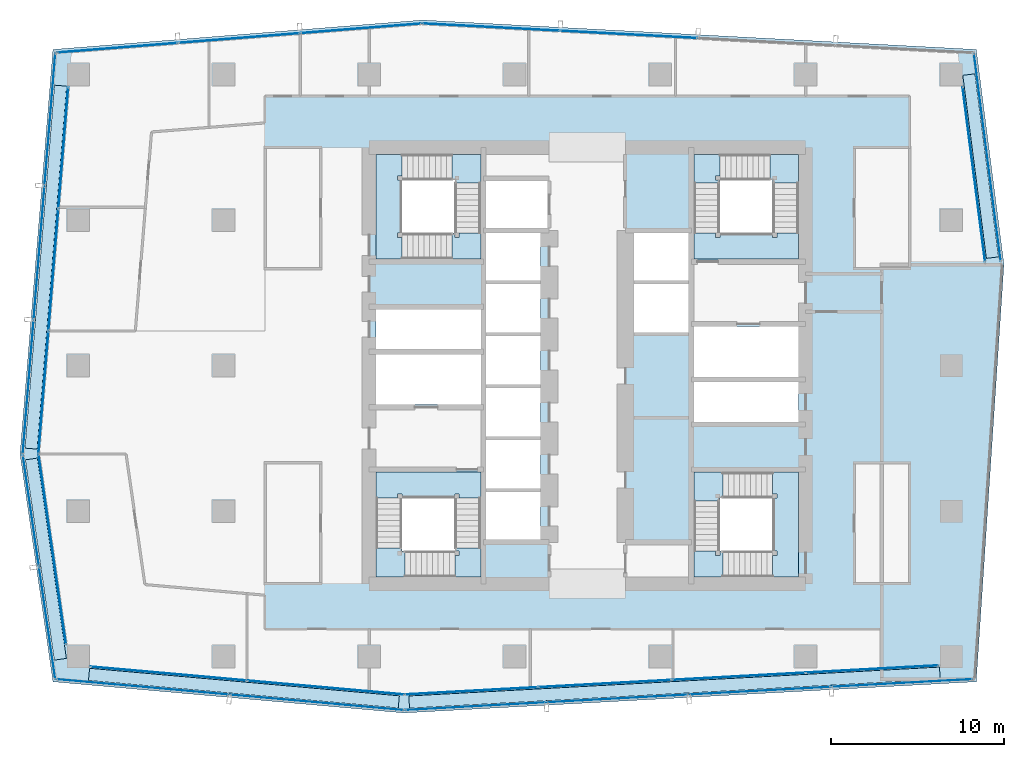
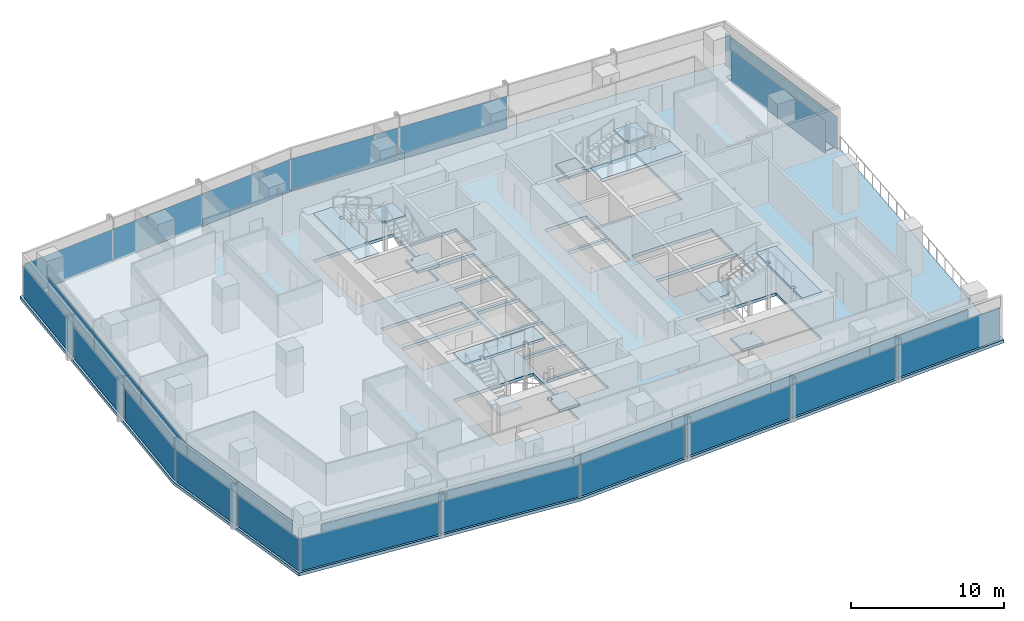
# One storey, part 19 of 28: 33 plates, 13 slabs, 16 elements without a shape of their own.
"""IFC4 building model written with IfcOpenShell, lengths in metres."""

from ifc_helpers import new_model, si_unit, direction, frame, origin, origin_2d, place, context, subcontext, project, spatial, polyline, rectangle, outline, extrude, material, layer, layer_set, type_object, element, aggregate, save


model = new_model("IFC4")

# Units and contexts
model_context = context("Model", 3, precision=1e-05, world=origin(), true_north=direction((0.0, 1.0)))
body_context = subcontext(model_context, "Body", "Model", "MODEL_VIEW")
ifc_project = project(units=[si_unit("LENGTHUNIT", "METRE"), si_unit("AREAUNIT", "SQUARE_METRE"), si_unit("VOLUMEUNIT", "CUBIC_METRE"), si_unit("PLANEANGLEUNIT", "RADIAN"), si_unit("MASSUNIT", "GRAM", prefix="KILO")], contexts=[model_context])

# Site, building, storey
site_placement = place(None, origin())
site = spatial("IfcSite", under=ifc_project, at=site_placement, CompositionType="ELEMENT")
building_placement = place(site_placement, origin())
building = spatial("IfcBuilding", under=site, at=building_placement, Name="Rekha Terrace Tower", CompositionType="ELEMENT")
storey_placement = place(building_placement, frame((0.0, 0.0, 253.85009765625)))
storey = spatial("IfcBuildingStorey", under=building, at=storey_placement, Name="L64", CompositionType="ELEMENT", Elevation=253.85009765625)

# Curtain wall, plates
ifc_material_1 = material(Name="Aluminium framing", Category="aluminium")
curtain_wall_type_1 = type_object("IfcCurtainWallType", Name="CW1 double skin inner glazing", PredefinedType="USERDEFINED", material=ifc_material_1)
curtain_wall_1_placement = place(storey_placement, origin())
curtain_wall_1 = element("IfcCurtainWall", 1, at=curtain_wall_1_placement, inside=storey, type_object=curtain_wall_type_1, Name="CW1 double skin inner glazing", ObjectType="DOUBLE SKIN INNER GLAZING", PredefinedType="USERDEFINED")
ifc_material_2 = material(Name="Double-glazed low-e unit 32", Category="glass")
ifc_layer_1 = layer(ifc_material_2, 0.031982421875)
ifc_layer_set_1 = layer_set([ifc_layer_1], Name="Double-glazed low-e unit 32")
plate_type_1 = type_object("IfcPlateType", Name="CW1 jumbo vision panel, double-glazed low-e unit 32", PredefinedType="CURTAIN_PANEL", material=ifc_layer_set_1)
plate_1_placement = place(storey_placement, frame((13.62939453125, 15.820556640625, -0.000244140625), z_axis=(0.0, 0.0, 1.0), x_axis=(0.996074182663, -0.088522441405, 0.0)))
plate_1 = element("IfcPlate", 2, at=plate_1_placement, type_object=plate_type_1, Name="CW1 panel 1.1", PredefinedType="CURTAIN_PANEL", context=body_context, shape_type="SweptSolid", body=[
    extrude(rectangle(XDim=9.010986328125, YDim=0.031982421875, at=origin_2d()), origin(), (0.0, 0.0, 1.0), 2.60009765625),
])
plate_2_placement = place(storey_placement, frame((22.701904296875, 15.01416015625, -0.000244140625), z_axis=(0.0, 0.0, 1.0), x_axis=(0.996074182663, -0.088522441405, 0.0)))
plate_2 = element("IfcPlate", 3, at=plate_2_placement, type_object=plate_type_1, Name="CW1 panel 2.1", PredefinedType="CURTAIN_PANEL", context=body_context, shape_type="SweptSolid", body=[
    extrude(rectangle(XDim=9.075927734375, YDim=0.031982421875, at=origin_2d()), origin(), (0.0, 0.0, 1.0), 2.60009765625),
])
aggregate(curtain_wall_1, [plate_1, plate_2])

curtain_wall_2_placement = place(storey_placement, origin())
curtain_wall_2 = element("IfcCurtainWall", 4, at=curtain_wall_2_placement, inside=storey, type_object=curtain_wall_type_1, Name="CW1 double skin inner glazing", ObjectType="DOUBLE SKIN INNER GLAZING", PredefinedType="USERDEFINED")
plate_3_placement = place(storey_placement, frame((31.101318359375, 14.82373046875, -0.000244140625), z_axis=(0.0, 0.0, 1.0), x_axis=(0.998519828159, 0.054388903036, 0.0)))
plate_3 = element("IfcPlate", 5, at=plate_3_placement, type_object=plate_type_1, Name="CW1 panel 1.1", PredefinedType="CURTAIN_PANEL", context=body_context, shape_type="SweptSolid", body=[
    extrude(rectangle(XDim=7.6396484375, YDim=0.031982421875, at=origin_2d()), origin(), (0.0, 0.0, 1.0), 2.60009765625),
])
plate_4_placement = place(storey_placement, frame((38.810791015625, 15.243896484375, -0.000244140625), z_axis=(0.0, 0.0, 1.0), x_axis=(0.998519828159, 0.054388903036, 0.0)))
plate_4 = element("IfcPlate", 6, at=plate_4_placement, type_object=plate_type_1, Name="CW1 panel 2.1", PredefinedType="CURTAIN_PANEL", context=body_context, shape_type="SweptSolid", body=[
    extrude(rectangle(XDim=7.672119140625, YDim=0.031982421875, at=origin_2d()), origin(), (0.0, 0.0, 1.0), 2.60009765625),
])
plate_5_placement = place(storey_placement, frame((46.536376953125, 15.66455078125, -0.000244140625), z_axis=(0.0, 0.0, 1.0), x_axis=(0.998519828159, 0.054388903036, 0.0)))
plate_5 = element("IfcPlate", 7, at=plate_5_placement, type_object=plate_type_1, Name="CW1 panel 3.1", PredefinedType="CURTAIN_PANEL", context=body_context, shape_type="SweptSolid", body=[
    extrude(rectangle(XDim=7.672119140625, YDim=0.031982421875, at=origin_2d()), origin(), (0.0, 0.0, 1.0), 2.60009765625),
])
plate_6_placement = place(storey_placement, frame((54.245849609375, 16.08447265625, -0.000244140625), z_axis=(0.0, 0.0, 1.0), x_axis=(0.998519828159, 0.054388903036, 0.0)))
plate_6 = element("IfcPlate", 8, at=plate_6_placement, type_object=plate_type_1, Name="CW1 panel 4.1", PredefinedType="CURTAIN_PANEL", context=body_context, shape_type="SweptSolid", body=[
    extrude(rectangle(XDim=7.6396484375, YDim=0.031982421875, at=origin_2d()), origin(), (0.0, 0.0, 1.0), 2.60009765625),
])
aggregate(curtain_wall_2, [plate_3, plate_4, plate_5, plate_6])

# Curtain wall, plate
curtain_wall_3_placement = place(storey_placement, origin())
curtain_wall_3 = element("IfcCurtainWall", 9, at=curtain_wall_3_placement, inside=storey, type_object=curtain_wall_type_1, Name="CW1 double skin inner glazing", ObjectType="DOUBLE SKIN INNER GLAZING", PredefinedType="USERDEFINED")
plate_7_placement = place(storey_placement, frame((60.11181640625, 44.6328125, -0.000244140625), z_axis=(0.0, 0.0, 1.0), x_axis=(-0.127869904783, 0.99179094947, 0.0)))
plate_7 = element("IfcPlate", 10, at=plate_7_placement, type_object=plate_type_1, Name="CW1 panel 1.1", PredefinedType="CURTAIN_PANEL", context=body_context, shape_type="SweptSolid", body=[
    extrude(rectangle(XDim=10.14990234375, YDim=0.031982421875, at=origin_2d()), origin(), (0.0, 0.0, 1.0), 2.60009765625),
])
aggregate(curtain_wall_3, [plate_7])

# Curtain wall, plates
curtain_wall_4_placement = place(storey_placement, origin())
curtain_wall_4 = element("IfcCurtainWall", 11, at=curtain_wall_4_placement, inside=storey, type_object=curtain_wall_type_1, Name="CW1 double skin inner glazing", ObjectType="DOUBLE SKIN INNER GLAZING", PredefinedType="USERDEFINED")
plate_8_placement = place(storey_placement, frame((7.5517578125, 46.173095703125, -0.000244140625), z_axis=(0.0, 0.0, 1.0), x_axis=(-0.081067906781, -0.996708580524, 0.0)))
plate_8 = element("IfcPlate", 12, at=plate_8_placement, type_object=plate_type_1, Name="CW1 panel 1.1", PredefinedType="CURTAIN_PANEL", context=body_context, shape_type="SweptSolid", body=[
    extrude(rectangle(XDim=6.9921875, YDim=0.031982421875, at=origin_2d()), origin(), (0.0, 0.0, 1.0), 2.60009765625),
])
plate_9_placement = place(storey_placement, frame((6.978271484375, 39.123046875, -0.000244140625), z_axis=(0.0, 0.0, 1.0), x_axis=(-0.081067906781, -0.996708580524, 0.0)))
plate_9 = element("IfcPlate", 13, at=plate_9_placement, type_object=plate_type_1, Name="CW1 panel 2.1", PredefinedType="CURTAIN_PANEL", context=body_context, shape_type="SweptSolid", body=[
    extrude(rectangle(XDim=7.024658203125, YDim=0.031982421875, at=origin_2d()), origin(), (0.0, 0.0, 1.0), 2.60009765625),
])
plate_10_placement = place(storey_placement, frame((6.40234375, 32.040283203125, -0.000244140625), z_axis=(0.0, 0.0, 1.0), x_axis=(-0.081067906781, -0.996708580524, 0.0)))
plate_10 = element("IfcPlate", 14, at=plate_10_placement, type_object=plate_type_1, Name="CW1 panel 3.1", PredefinedType="CURTAIN_PANEL", context=body_context, shape_type="SweptSolid", body=[
    extrude(rectangle(XDim=7.057373046875, YDim=0.031982421875, at=origin_2d()), origin(), (0.0, 0.0, 1.0), 2.60009765625),
])
aggregate(curtain_wall_4, [plate_8, plate_9, plate_10])

# Curtain wall, plate
curtain_wall_5_placement = place(storey_placement, origin())
curtain_wall_5 = element("IfcCurtainWall", 15, at=curtain_wall_5_placement, inside=storey, type_object=curtain_wall_type_1, Name="CW1 double skin inner glazing", ObjectType="DOUBLE SKIN INNER GLAZING", PredefinedType="USERDEFINED")
plate_11_placement = place(storey_placement, frame((6.915771484375, 22.994140625, -0.000244140625), z_axis=(0.0, 0.0, 1.0), x_axis=(0.143108322643, -0.989707031394, 0.0)))
plate_11 = element("IfcPlate", 16, at=plate_11_placement, type_object=plate_type_1, Name="CW1 panel 1.1", PredefinedType="CURTAIN_PANEL", context=body_context, shape_type="SweptSolid", body=[
    extrude(rectangle(XDim=11.043212890625, YDim=0.031982421875, at=origin_2d()), origin(), (0.0, 0.0, 1.0), 2.60009765625),
])
aggregate(curtain_wall_5, [plate_11])

# Curtain wall, plates
curtain_wall_type_2 = type_object("IfcCurtainWallType", Name="CW2 double skin outer glazing", PredefinedType="USERDEFINED", material=ifc_material_1)
curtain_wall_6_placement = place(storey_placement, origin())
curtain_wall_6 = element("IfcCurtainWall", 17, at=curtain_wall_6_placement, inside=storey, type_object=curtain_wall_type_2, Name="CW2 double skin outer glazing", ObjectType="DOUBLE SKIN OUTER GLAZING", PredefinedType="USERDEFINED")
ifc_material_3 = material(Name="Toughened single glazing 12", Category="glass")
ifc_layer_2 = layer(ifc_material_3, 0.011962890625)
ifc_layer_set_2 = layer_set([ifc_layer_2], Name="Toughened single glazing 12")
plate_type_2 = type_object("IfcPlateType", Name="CW2 jumbo vision panel, toughened single glazing 12", PredefinedType="CURTAIN_PANEL", material=ifc_layer_set_2)
plate_12_placement = place(storey_placement, frame((12.139404296875, 15.049560546875, -0.000244140625), z_axis=(0.0, 0.0, 1.0), x_axis=(0.996074182658, -0.088522441457, 0.0)))
plate_12 = element("IfcPlate", 18, at=plate_12_placement, type_object=plate_type_2, Name="CW2 panel 1.1", PredefinedType="CURTAIN_PANEL", context=body_context, shape_type="SweptSolid", body=[
    extrude(rectangle(XDim=9.977783203125, YDim=0.011962890625, at=origin_2d()), origin(), (0.0, 0.0, 1.0), 2.60009765625),
])
plate_13_placement = place(storey_placement, frame((22.197509765625, 14.155517578125, -0.000244140625), z_axis=(0.0, 0.0, 1.0), x_axis=(0.996074182658, -0.088522441457, 0.0)))
plate_13 = element("IfcPlate", 19, at=plate_13_placement, type_object=plate_type_2, Name="CW2 panel 2.1", PredefinedType="CURTAIN_PANEL", context=body_context, shape_type="SweptSolid", body=[
    extrude(rectangle(XDim=10.057861328125, YDim=0.011962890625, at=origin_2d()), origin(), (0.0, 0.0, 1.0), 2.60009765625),
])
aggregate(curtain_wall_6, [plate_12, plate_13])

curtain_wall_7_placement = place(storey_placement, origin())
curtain_wall_7 = element("IfcCurtainWall", 20, at=curtain_wall_7_placement, inside=storey, type_object=curtain_wall_type_2, Name="CW2 double skin outer glazing", ObjectType="DOUBLE SKIN OUTER GLAZING", PredefinedType="USERDEFINED")
plate_14_placement = place(storey_placement, frame((31.33837890625, 13.935546875, -0.000244140625), z_axis=(0.0, 0.0, 1.0), x_axis=(0.998519828157, 0.054388903071, 0.0)))
plate_14 = element("IfcPlate", 21, at=plate_14_placement, type_object=plate_type_2, Name="CW2 panel 1.1", PredefinedType="CURTAIN_PANEL", context=body_context, shape_type="SweptSolid", body=[
    extrude(rectangle(XDim=8.115478515625, YDim=0.011962890625, at=origin_2d()), origin(), (0.0, 0.0, 1.0), 2.60009765625),
])
plate_15_placement = place(storey_placement, frame((39.54150390625, 14.38232421875, -0.000244140625), z_axis=(0.0, 0.0, 1.0), x_axis=(0.998519828157, 0.054388903071, 0.0)))
plate_15 = element("IfcPlate", 22, at=plate_15_placement, type_object=plate_type_2, Name="CW2 panel 2.1", PredefinedType="CURTAIN_PANEL", context=body_context, shape_type="SweptSolid", body=[
    extrude(rectangle(XDim=8.155517578125, YDim=0.011962890625, at=origin_2d()), origin(), (0.0, 0.0, 1.0), 2.60009765625),
])
plate_16_placement = place(storey_placement, frame((47.764892578125, 14.830078125, -0.000244140625), z_axis=(0.0, 0.0, 1.0), x_axis=(0.998519828157, 0.054388903071, 0.0)))
plate_16 = element("IfcPlate", 23, at=plate_16_placement, type_object=plate_type_2, Name="CW2 panel 3.1", PredefinedType="CURTAIN_PANEL", context=body_context, shape_type="SweptSolid", body=[
    extrude(rectangle(XDim=8.155517578125, YDim=0.011962890625, at=origin_2d()), origin(), (0.0, 0.0, 1.0), 2.60009765625),
])
plate_17_placement = place(storey_placement, frame((55.96826171875, 15.277099609375, -0.000244140625), z_axis=(0.0, 0.0, 1.0), x_axis=(0.998519828157, 0.054388903071, 0.0)))
plate_17 = element("IfcPlate", 24, at=plate_17_placement, type_object=plate_type_2, Name="CW2 panel 4.1", PredefinedType="CURTAIN_PANEL", context=body_context, shape_type="SweptSolid", body=[
    extrude(rectangle(XDim=8.115478515625, YDim=0.011962890625, at=origin_2d()), origin(), (0.0, 0.0, 1.0), 2.60009765625),
])
aggregate(curtain_wall_7, [plate_14, plate_15, plate_16, plate_17])

# Curtain wall, plate
curtain_wall_8_placement = place(storey_placement, origin())
curtain_wall_8 = element("IfcCurtainWall", 25, at=curtain_wall_8_placement, inside=storey, type_object=curtain_wall_type_2, Name="CW2 double skin outer glazing", ObjectType="DOUBLE SKIN OUTER GLAZING", PredefinedType="USERDEFINED")
plate_18_placement = place(storey_placement, frame((60.892333984375, 45.6162109375, -0.000244140625), z_axis=(0.0, 0.0, 1.0), x_axis=(-0.127869904922, 0.991790949452, 0.0)))
plate_18 = element("IfcPlate", 26, at=plate_18_placement, type_object=plate_type_2, Name="CW2 panel 1.1", PredefinedType="CURTAIN_PANEL", context=body_context, shape_type="SweptSolid", body=[
    extrude(rectangle(XDim=12.10302734375, YDim=0.011962890625, at=origin_2d()), origin(), (0.0, 0.0, 1.0), 2.60009765625),
])
aggregate(curtain_wall_8, [plate_18])

# Curtain wall, plates
curtain_wall_9_placement = place(storey_placement, origin())
curtain_wall_9 = element("IfcCurtainWall", 27, at=curtain_wall_9_placement, inside=storey, type_object=curtain_wall_type_2, Name="CW2 double skin outer glazing", ObjectType="DOUBLE SKIN OUTER GLAZING", PredefinedType="USERDEFINED")
plate_19_placement = place(storey_placement, frame((6.7822265625, 47.813720703125, -0.000244140625), z_axis=(0.0, 0.0, 1.0), x_axis=(-0.081067906816, -0.996708580521, 0.0)))
plate_19 = element("IfcPlate", 28, at=plate_19_placement, type_object=plate_type_2, Name="CW2 panel 1.1", PredefinedType="CURTAIN_PANEL", context=body_context, shape_type="SweptSolid", body=[
    extrude(rectangle(XDim=7.640869140625, YDim=0.011962890625, at=origin_2d()), origin(), (0.0, 0.0, 1.0), 2.60009765625),
])
plate_20_placement = place(storey_placement, frame((6.15478515625, 40.09814453125, -0.000244140625), z_axis=(0.0, 0.0, 1.0), x_axis=(-0.081067906816, -0.996708580521, 0.0)))
plate_20 = element("IfcPlate", 29, at=plate_20_placement, type_object=plate_type_2, Name="CW2 panel 2.1", PredefinedType="CURTAIN_PANEL", context=body_context, shape_type="SweptSolid", body=[
    extrude(rectangle(XDim=7.680908203125, YDim=0.011962890625, at=origin_2d()), origin(), (0.0, 0.0, 1.0), 2.60009765625),
])
plate_21_placement = place(storey_placement, frame((5.52392578125, 32.3427734375, -0.000244140625), z_axis=(0.0, 0.0, 1.0), x_axis=(-0.081067906816, -0.996708580521, 0.0)))
plate_21 = element("IfcPlate", 30, at=plate_21_placement, type_object=plate_type_2, Name="CW2 panel 3.1", PredefinedType="CURTAIN_PANEL", context=body_context, shape_type="SweptSolid", body=[
    extrude(rectangle(XDim=7.720947265625, YDim=0.011962890625, at=origin_2d()), origin(), (0.0, 0.0, 1.0), 2.60009765625),
])
aggregate(curtain_wall_9, [plate_19, plate_20, plate_21])

curtain_wall_10_placement = place(storey_placement, origin())
curtain_wall_10 = element("IfcCurtainWall", 31, at=curtain_wall_10_placement, inside=storey, type_object=curtain_wall_type_2, Name="CW2 double skin outer glazing", ObjectType="DOUBLE SKIN OUTER GLAZING", PredefinedType="USERDEFINED")
plate_22_placement = place(storey_placement, frame((5.68359375, 25.22607421875, -0.000244140625), z_axis=(0.0, 0.0, 1.0), x_axis=(0.143108322678, -0.989707031389, 0.0)))
plate_22 = element("IfcPlate", 32, at=plate_22_placement, type_object=plate_type_2, Name="CW2 panel 1.1", PredefinedType="CURTAIN_PANEL", context=body_context, shape_type="SweptSolid", body=[
    extrude(rectangle(XDim=6.446044921875, YDim=0.011962890625, at=origin_2d()), origin(), (0.0, 0.0, 1.0), 2.60009765625),
])
plate_23_placement = place(storey_placement, frame((6.623291015625, 18.7275390625, -0.000244140625), z_axis=(0.0, 0.0, 1.0), x_axis=(0.143108322678, -0.989707031389, 0.0)))
plate_23 = element("IfcPlate", 33, at=plate_23_placement, type_object=plate_type_2, Name="CW2 panel 2.1", PredefinedType="CURTAIN_PANEL", context=body_context, shape_type="SweptSolid", body=[
    extrude(rectangle(XDim=6.526123046875, YDim=0.011962890625, at=origin_2d()), origin(), (0.0, 0.0, 1.0), 2.60009765625),
])
aggregate(curtain_wall_10, [plate_22, plate_23])

curtain_wall_type_3 = type_object("IfcCurtainWallType", Name="CW3 north unitised glazing", PredefinedType="USERDEFINED", material=ifc_material_1)
curtain_wall_11_placement = place(storey_placement, origin())
curtain_wall_11 = element("IfcCurtainWall", 34, at=curtain_wall_11_placement, inside=storey, type_object=curtain_wall_type_3, Name="CW3 unitised curtain wall", ObjectType="UNITISED CURTAIN WALL", PredefinedType="USERDEFINED")
ifc_material_4 = material(Name="Double-glazed unit 28", Category="glass")
ifc_layer_3 = layer(ifc_material_4, 0.028076171875)
ifc_layer_set_3 = layer_set([ifc_layer_3], Name="Double-glazed unit 28")
plate_type_3 = type_object("IfcPlateType", Name="CW3 jumbo vision panel, double-glazed unit 28", PredefinedType="CURTAIN_PANEL", material=ifc_layer_set_3)
plate_24_placement = place(storey_placement, frame((40.19775390625, 52.715576171875, -0.000244140625), z_axis=(0.0, 0.0, 1.0), x_axis=(-0.998590089005, 0.053083275524, 0.0)))
plate_24 = element("IfcPlate", 35, at=plate_24_placement, type_object=plate_type_3, Name="CW3 panel 3.1", PredefinedType="CURTAIN_PANEL", context=body_context, shape_type="SweptSolid", body=[
    extrude(rectangle(XDim=7.891357421875, YDim=0.028076171875, at=origin_2d()), origin(), (0.0, 0.0, 1.0), 2.60009765625),
])
plate_25_placement = place(storey_placement, frame((32.230224609375, 53.13916015625, -0.000244140625), z_axis=(0.0, 0.0, 1.0), x_axis=(-0.998590089005, 0.053083275524, 0.0)))
plate_25 = element("IfcPlate", 36, at=plate_25_placement, type_object=plate_type_3, Name="CW3 panel 4.1", PredefinedType="CURTAIN_PANEL", context=body_context, shape_type="SweptSolid", body=[
    extrude(rectangle(XDim=7.92626953125, YDim=0.028076171875, at=origin_2d()), origin(), (0.0, 0.0, 1.0), 2.60009765625),
])
aggregate(curtain_wall_11, [plate_24, plate_25])

curtain_wall_12_placement = place(storey_placement, origin())
curtain_wall_12 = element("IfcCurtainWall", 37, at=curtain_wall_12_placement, inside=storey, type_object=curtain_wall_type_3, Name="CW3 unitised curtain wall", ObjectType="UNITISED CURTAIN WALL", PredefinedType="USERDEFINED")
plate_26_placement = place(storey_placement, frame((24.732421875, 53.0673828125, -0.000244140625), z_axis=(0.0, 0.0, 1.0), x_axis=(-0.996836058026, -0.07948505154, 0.0)))
plate_26 = element("IfcPlate", 38, at=plate_26_placement, type_object=plate_type_3, Name="CW3 panel 1.1", PredefinedType="CURTAIN_PANEL", context=body_context, shape_type="SweptSolid", body=[
    extrude(rectangle(XDim=6.963134765625, YDim=0.028076171875, at=origin_2d()), origin(), (0.0, 0.0, 1.0), 2.60009765625),
])
plate_27_placement = place(storey_placement, frame((17.7041015625, 52.5068359375, -0.000244140625), z_axis=(0.0, 0.0, 1.0), x_axis=(-0.996836058026, -0.07948505154, 0.0)))
plate_27 = element("IfcPlate", 39, at=plate_27_placement, type_object=plate_type_3, Name="CW3 panel 2.1", PredefinedType="CURTAIN_PANEL", context=body_context, shape_type="SweptSolid", body=[
    extrude(rectangle(XDim=6.998046875, YDim=0.028076171875, at=origin_2d()), origin(), (0.0, 0.0, 1.0), 2.60009765625),
])
plate_28_placement = place(storey_placement, frame((10.67578125, 51.946533203125, -0.000244140625), z_axis=(0.0, 0.0, 1.0), x_axis=(-0.996836058026, -0.07948505154, 0.0)))
plate_28 = element("IfcPlate", 40, at=plate_28_placement, type_object=plate_type_3, Name="CW3 panel 3.1", PredefinedType="CURTAIN_PANEL", context=body_context, shape_type="SweptSolid", body=[
    extrude(rectangle(XDim=6.963134765625, YDim=0.028076171875, at=origin_2d()), origin(), (0.0, 0.0, 1.0), 2.60009765625),
])
aggregate(curtain_wall_12, [plate_26, plate_27, plate_28])

# Plates
ifc_material_5 = material(Name="Galvanised steel open grating", Category="steel")
ifc_layer_4 = layer(ifc_material_5, 0.050048828125)
ifc_layer_set_4 = layer_set([ifc_layer_4], Name="Galvanised steel open grating")
plate_type_4 = type_object("IfcPlateType", Name="GT1 cavity walkway grating 50", PredefinedType="USERDEFINED", material=ifc_layer_set_4)
plate_29_placement = place(storey_placement, frame((17.974853515625, 14.982666015625, 0.0), z_axis=(0.0, 0.0, 1.0), x_axis=(0.99607418266, -0.08852244144, 0.0)))
element("IfcPlate", 41, at=plate_29_placement, inside=storey, type_object=plate_type_4, Name="Cavity walkway grating", ObjectType="CAVITY WALKWAY GRATING", PredefinedType="USERDEFINED", context=body_context, shape_type="SweptSolid", body=[
    extrude(rectangle(XDim=17.9521484375, YDim=0.705078125, at=origin_2d()), origin(), (0.0, 0.0, 1.0), 0.050048828125),
])
plate_30_placement = place(storey_placement, frame((42.830322265625, 15.011962890625, 0.0), z_axis=(0.0, 0.0, 1.0), x_axis=(0.998519828157, 0.054388903071, 0.0)))
element("IfcPlate", 42, at=plate_30_placement, inside=storey, type_object=plate_type_4, Name="Cavity walkway grating", ObjectType="CAVITY WALKWAY GRATING", PredefinedType="USERDEFINED", context=body_context, shape_type="SweptSolid", body=[
    extrude(rectangle(XDim=30.677978515625, YDim=0.705078125, at=origin_2d()), origin(), (0.0, 0.0, 1.0), 0.050048828125),
])
plate_31_placement = place(storey_placement, frame((60.503173828125, 45.115966796875, 0.0), z_axis=(0.0, 0.0, 1.0), x_axis=(-0.127869904852, 0.991790949461, 0.0)))
element("IfcPlate", 43, at=plate_31_placement, inside=storey, type_object=plate_type_4, Name="Cavity walkway grating", ObjectType="CAVITY WALKWAY GRATING", PredefinedType="USERDEFINED", context=body_context, shape_type="SweptSolid", body=[
    extrude(rectangle(XDim=10.654052734375, YDim=0.705078125, at=origin_2d()), origin(), (0.0, 0.0, 1.0), 0.050048828125),
])
plate_32_placement = place(storey_placement, frame((6.5400390625, 39.28369140625, 0.0), z_axis=(0.0, 0.0, 1.0), x_axis=(-0.081067906798, -0.996708580523, 0.0)))
element("IfcPlate", 44, at=plate_32_placement, inside=storey, type_object=plate_type_4, Name="Cavity walkway grating", ObjectType="CAVITY WALKWAY GRATING", PredefinedType="USERDEFINED", context=body_context, shape_type="SweptSolid", body=[
    extrude(rectangle(XDim=21.02001953125, YDim=0.705078125, at=origin_2d()), origin(), (0.0, 0.0, 1.0), 0.050048828125),
])
plate_33_placement = place(storey_placement, frame((6.54248046875, 22.4306640625, 0.0), z_axis=(0.0, 0.0, 1.0), x_axis=(0.143108322643, -0.989707031394, 0.0)))
element("IfcPlate", 45, at=plate_33_placement, inside=storey, type_object=plate_type_4, Name="Cavity walkway grating", ObjectType="CAVITY WALKWAY GRATING", PredefinedType="USERDEFINED", context=body_context, shape_type="SweptSolid", body=[
    extrude(rectangle(XDim=11.68310546875, YDim=0.705078125, at=origin_2d()), origin(), (0.0, 0.0, 1.0), 0.050048828125),
])

# Stair, slabs
ifc_material_6 = material(Name="Concrete M40", Category="concrete")
stair_type = type_object("IfcStairType", Name="ST30 stair, 30 risers of 125, going 320, 1500 wide flights, 3 flights", PredefinedType="HALF_TURN_STAIR", material=ifc_material_6)
stair_1_placement = place(storey_placement, origin())
stair_1 = element("IfcStair", 46, at=stair_1_placement, inside=storey, type_object=stair_type, Name="Stair ST1 L64 to L65", PredefinedType="HALF_TURN_STAIR")
ifc_layer_5 = layer(ifc_material_6, 0.199951171875)
ifc_layer_set_5 = layer_set([ifc_layer_5], Name="Concrete M40")
slab_type_1 = type_object("IfcSlabType", Name="LD1 200 concrete stair landing", PredefinedType="LANDING", material=ifc_layer_set_5)
slab_1_placement = place(storey_placement, frame((0.0, 0.0, 1.0498046875)))
slab_1 = element("IfcSlab", 47, at=slab_1_placement, type_object=slab_type_1, Name="ST1 landing 1", PredefinedType="LANDING", context=body_context, shape_type="SweptSolid", body=[
    extrude(outline(polyline([(30.14990234375, 21.39990234375), (31.64990234375, 21.39990234375), (31.64990234375, 23.070068359375), (30.14990234375, 23.070068359375), (30.14990234375, 22.89990234375), (30.39990234375, 22.89990234375), (30.39990234375, 22.64990234375), (30.14990234375, 22.64990234375), (30.14990234375, 21.39990234375)])), origin(), (0.0, 0.0, 1.0), 0.2001953125),
])
slab_2_placement = place(storey_placement, frame((0.0, 0.0, 2.2998046875)))
slab_2 = element("IfcSlab", 48, at=slab_2_placement, type_object=slab_type_1, Name="ST1 landing 2", PredefinedType="LANDING", context=body_context, shape_type="SweptSolid", body=[
    extrude(outline(polyline([(27.10009765625, 23.070068359375), (25.60009765625, 23.070068359375), (25.60009765625, 21.39990234375), (27.27001953125, 21.39990234375), (27.27001953125, 22.89990234375), (27.10009765625, 22.89990234375), (27.10009765625, 23.070068359375)])), origin(), (0.0, 0.0, 1.0), 0.2001953125),
])
slab_3_placement = place(storey_placement, frame((0.0, 0.0, 3.5498046875)))
slab_3 = element("IfcSlab", 49, at=slab_3_placement, type_object=slab_type_1, Name="ST1 landing 3", PredefinedType="LANDING", context=body_context, shape_type="SweptSolid", body=[
    extrude(outline(polyline([(31.64990234375, 25.949951171875), (31.64990234375, 27.449951171875), (25.60009765625, 27.449951171875), (25.60009765625, 25.949951171875), (26.85009765625, 25.949951171875), (26.85009765625, 26.199951171875), (27.10009765625, 26.199951171875), (27.10009765625, 25.949951171875), (30.14990234375, 25.949951171875), (30.14990234375, 26.199951171875), (30.39990234375, 26.199951171875), (30.39990234375, 25.949951171875), (31.64990234375, 25.949951171875)])), origin(), (0.0, 0.0, 1.0), 0.2001953125),
])
aggregate(stair_1, [slab_1, slab_2, slab_3])

stair_2_placement = place(storey_placement, origin())
stair_2 = element("IfcStair", 50, at=stair_2_placement, inside=storey, type_object=stair_type, Name="Stair ST2 L64 to L65", PredefinedType="HALF_TURN_STAIR")
slab_4_placement = place(storey_placement, frame((0.0, 0.0, 1.0498046875)))
slab_4 = element("IfcSlab", 51, at=slab_4_placement, type_object=slab_type_1, Name="ST2 landing 1", PredefinedType="LANDING", context=body_context, shape_type="SweptSolid", body=[
    extrude(outline(polyline([(45.449951171875, 45.800048828125), (43.949951171875, 45.800048828125), (43.949951171875, 44.1298828125), (45.449951171875, 44.1298828125), (45.449951171875, 44.300048828125), (45.199951171875, 44.300048828125), (45.199951171875, 44.550048828125), (45.449951171875, 44.550048828125), (45.449951171875, 45.800048828125)])), origin(), (0.0, 0.0, 1.0), 0.2001953125),
])
slab_5_placement = place(storey_placement, frame((0.0, 0.0, 2.2998046875)))
slab_5 = element("IfcSlab", 52, at=slab_5_placement, type_object=slab_type_1, Name="ST2 landing 2", PredefinedType="LANDING", context=body_context, shape_type="SweptSolid", body=[
    extrude(outline(polyline([(48.5, 44.1298828125), (50.0, 44.1298828125), (50.0, 45.800048828125), (48.330078125, 45.800048828125), (48.330078125, 44.300048828125), (48.5, 44.300048828125), (48.5, 44.1298828125)])), origin(), (0.0, 0.0, 1.0), 0.2001953125),
])
slab_6_placement = place(storey_placement, frame((0.0, 0.0, 3.5498046875)))
slab_6 = element("IfcSlab", 53, at=slab_6_placement, type_object=slab_type_1, Name="ST2 landing 3", PredefinedType="LANDING", context=body_context, shape_type="SweptSolid", body=[
    extrude(outline(polyline([(43.949951171875, 41.25), (43.949951171875, 39.75), (50.0, 39.75), (50.0, 41.25), (48.75, 41.25), (48.75, 41.0), (48.5, 41.0), (48.5, 41.25), (45.449951171875, 41.25), (45.449951171875, 41.0), (45.199951171875, 41.0), (45.199951171875, 41.25), (43.949951171875, 41.25)])), origin(), (0.0, 0.0, 1.0), 0.2001953125),
])
aggregate(stair_2, [slab_4, slab_5, slab_6])

stair_3_placement = place(storey_placement, origin())
stair_3 = element("IfcStair", 54, at=stair_3_placement, inside=storey, type_object=stair_type, Name="Stair ST3 L64 to L65", PredefinedType="HALF_TURN_STAIR")
slab_7_placement = place(storey_placement, frame((0.0, 0.0, 1.0498046875)))
slab_7 = element("IfcSlab", 55, at=slab_7_placement, type_object=slab_type_1, Name="ST3 landing 1", PredefinedType="LANDING", context=body_context, shape_type="SweptSolid", body=[
    extrude(outline(polyline([(43.949951171875, 22.89990234375), (43.949951171875, 21.39990234375), (45.6201171875, 21.39990234375), (45.6201171875, 22.89990234375), (45.449951171875, 22.89990234375), (45.449951171875, 22.64990234375), (45.199951171875, 22.64990234375), (45.199951171875, 22.89990234375), (43.949951171875, 22.89990234375)])), origin(), (0.0, 0.0, 1.0), 0.2001953125),
])
slab_8_placement = place(storey_placement, frame((0.0, 0.0, 2.2998046875)))
slab_8 = element("IfcSlab", 56, at=slab_8_placement, type_object=slab_type_1, Name="ST3 landing 2", PredefinedType="LANDING", context=body_context, shape_type="SweptSolid", body=[
    extrude(outline(polyline([(45.6201171875, 25.949951171875), (45.6201171875, 27.449951171875), (43.949951171875, 27.449951171875), (43.949951171875, 25.780029296875), (45.449951171875, 25.780029296875), (45.449951171875, 25.949951171875), (45.6201171875, 25.949951171875)])), origin(), (0.0, 0.0, 1.0), 0.2001953125),
])
slab_9_placement = place(storey_placement, frame((0.0, 0.0, 3.5498046875)))
slab_9 = element("IfcSlab", 57, at=slab_9_placement, type_object=slab_type_1, Name="ST3 landing 3", PredefinedType="LANDING", context=body_context, shape_type="SweptSolid", body=[
    extrude(outline(polyline([(48.5, 21.39990234375), (50.0, 21.39990234375), (50.0, 27.449951171875), (48.5, 27.449951171875), (48.5, 26.199951171875), (48.75, 26.199951171875), (48.75, 25.949951171875), (48.5, 25.949951171875), (48.5, 22.89990234375), (48.75, 22.89990234375), (48.75, 22.64990234375), (48.5, 22.64990234375), (48.5, 21.39990234375)])), origin(), (0.0, 0.0, 1.0), 0.2001953125),
])
aggregate(stair_3, [slab_7, slab_8, slab_9])

stair_4_placement = place(storey_placement, origin())
stair_4 = element("IfcStair", 58, at=stair_4_placement, inside=storey, type_object=stair_type, Name="Stair ST4 L64 to L65", PredefinedType="HALF_TURN_STAIR")
slab_10_placement = place(storey_placement, frame((0.0, 0.0, 1.0498046875)))
slab_10 = element("IfcSlab", 59, at=slab_10_placement, type_object=slab_type_1, Name="ST4 landing 1", PredefinedType="LANDING", context=body_context, shape_type="SweptSolid", body=[
    extrude(outline(polyline([(31.64990234375, 41.25), (31.64990234375, 39.75), (29.97998046875, 39.75), (29.97998046875, 41.25), (30.14990234375, 41.25), (30.14990234375, 41.0), (30.39990234375, 41.0), (30.39990234375, 41.25), (31.64990234375, 41.25)])), origin(), (0.0, 0.0, 1.0), 0.2001953125),
])
slab_11_placement = place(storey_placement, frame((0.0, 0.0, 2.2998046875)))
slab_11 = element("IfcSlab", 60, at=slab_11_placement, type_object=slab_type_1, Name="ST4 landing 2", PredefinedType="LANDING", context=body_context, shape_type="SweptSolid", body=[
    extrude(outline(polyline([(29.97998046875, 44.300048828125), (29.97998046875, 45.800048828125), (31.64990234375, 45.800048828125), (31.64990234375, 44.1298828125), (30.14990234375, 44.1298828125), (30.14990234375, 44.300048828125), (29.97998046875, 44.300048828125)])), origin(), (0.0, 0.0, 1.0), 0.2001953125),
])
slab_12_placement = place(storey_placement, frame((0.0, 0.0, 3.5498046875)))
slab_12 = element("IfcSlab", 61, at=slab_12_placement, type_object=slab_type_1, Name="ST4 landing 3", PredefinedType="LANDING", context=body_context, shape_type="SweptSolid", body=[
    extrude(outline(polyline([(27.10009765625, 39.75), (25.60009765625, 39.75), (25.60009765625, 45.800048828125), (27.10009765625, 45.800048828125), (27.10009765625, 44.550048828125), (26.85009765625, 44.550048828125), (26.85009765625, 44.300048828125), (27.10009765625, 44.300048828125), (27.10009765625, 41.25), (26.85009765625, 41.25), (26.85009765625, 41.0), (27.10009765625, 41.0), (27.10009765625, 39.75)])), origin(), (0.0, 0.0, 1.0), 0.2001953125),
])
aggregate(stair_4, [slab_10, slab_11, slab_12])

# Slab
ifc_material_7 = material(Name="Concrete M50", Category="concrete")
ifc_layer_6 = layer(ifc_material_7, 0.25)
ifc_layer_set_6 = layer_set([ifc_layer_6], Name="Concrete M50")
slab_type_2 = type_object("IfcSlabType", Name="SL4 250 post-tensioned flat plate", PredefinedType="FLOOR", material=ifc_layer_set_6)
slab_13_placement = place(storey_placement, frame((0.0, 0.0, -0.25)))
element("IfcSlab", 62, at=slab_13_placement, inside=storey, type_object=slab_type_2, Name="Post-tensioned flat plate L64", PredefinedType="FLOOR", context=body_context, shape_type="SweptSolid", body=[
    extrude(outline(polyline([(5.050048828125, 28.489990234375), (6.949951171875, 15.35009765625), (27.2041015625, 13.550048828125), (60.25, 15.35009765625), (61.85009765625, 39.43994140625), (60.25, 51.85009765625), (28.27001953125, 53.550048828125), (6.949951171875, 51.85009765625), (5.050048828125, 28.489990234375)]), holes=[polyline([(31.64990234375, 27.449951171875), (31.64990234375, 21.39990234375), (25.60009765625, 21.39990234375), (25.60009765625, 27.449951171875), (31.64990234375, 27.449951171875)]), polyline([(35.10009765625, 26.300048828125), (35.10009765625, 23.550048828125), (31.949951171875, 23.550048828125), (31.949951171875, 26.300048828125), (35.10009765625, 26.300048828125)]), polyline([(35.10009765625, 29.300048828125), (35.10009765625, 26.5), (31.949951171875, 26.5), (31.949951171875, 29.300048828125), (35.10009765625, 29.300048828125)]), polyline([(35.10009765625, 32.300048828125), (35.10009765625, 29.5), (31.949951171875, 29.5), (31.949951171875, 32.300048828125), (35.10009765625, 32.300048828125)]), polyline([(31.64990234375, 34.25), (31.64990234375, 31.35009765625), (25.60009765625, 31.35009765625), (25.60009765625, 34.25), (31.64990234375, 34.25)]), polyline([(35.10009765625, 35.300048828125), (35.10009765625, 32.5), (31.949951171875, 32.5), (31.949951171875, 35.300048828125), (35.10009765625, 35.300048828125)]), polyline([(31.64990234375, 36.85009765625), (31.64990234375, 34.550048828125), (25.60009765625, 34.550048828125), (25.60009765625, 36.85009765625), (31.64990234375, 36.85009765625)]), polyline([(35.10009765625, 38.300048828125), (35.10009765625, 35.5), (31.949951171875, 35.5), (31.949951171875, 38.300048828125), (35.10009765625, 38.300048828125)]), polyline([(31.64990234375, 45.800048828125), (31.64990234375, 39.75), (25.60009765625, 39.75), (25.60009765625, 45.800048828125), (31.64990234375, 45.800048828125)]), polyline([(50.0, 27.449951171875), (50.0, 21.39990234375), (43.949951171875, 21.39990234375), (43.949951171875, 27.449951171875), (50.0, 27.449951171875)]), polyline([(50.0, 32.64990234375), (50.0, 30.35009765625), (43.949951171875, 30.35009765625), (43.949951171875, 32.64990234375), (50.0, 32.64990234375)]), polyline([(50.0, 35.85009765625), (50.0, 32.949951171875), (43.949951171875, 32.949951171875), (43.949951171875, 35.85009765625), (50.0, 35.85009765625)]), polyline([(43.64990234375, 38.300048828125), (43.64990234375, 35.5), (40.5, 35.5), (40.5, 38.300048828125), (43.64990234375, 38.300048828125)]), polyline([(35.10009765625, 41.25), (35.10009765625, 38.5), (31.949951171875, 38.5), (31.949951171875, 41.25), (35.10009765625, 41.25)]), polyline([(43.64990234375, 41.25), (43.64990234375, 38.5), (40.5, 38.5), (40.5, 41.25), (43.64990234375, 41.25)]), polyline([(50.0, 39.75), (43.949951171875, 39.75), (43.949951171875, 45.800048828125), (50.0, 45.800048828125), (50.0, 39.75)]), polyline([(35.5, 41.550048828125), (31.949951171875, 41.550048828125), (31.949951171875, 44.25), (35.5, 44.25), (35.5, 41.550048828125)])]), origin(), (0.0, 0.0, 1.0), 0.25),
])

save(model, "model.ifc")
